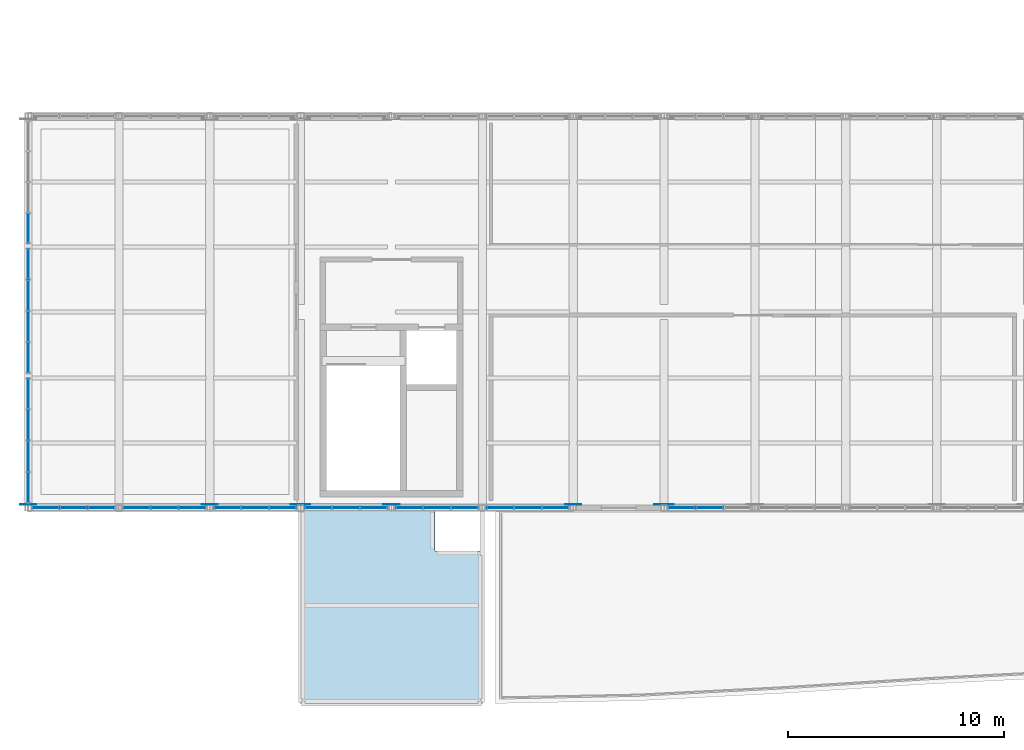
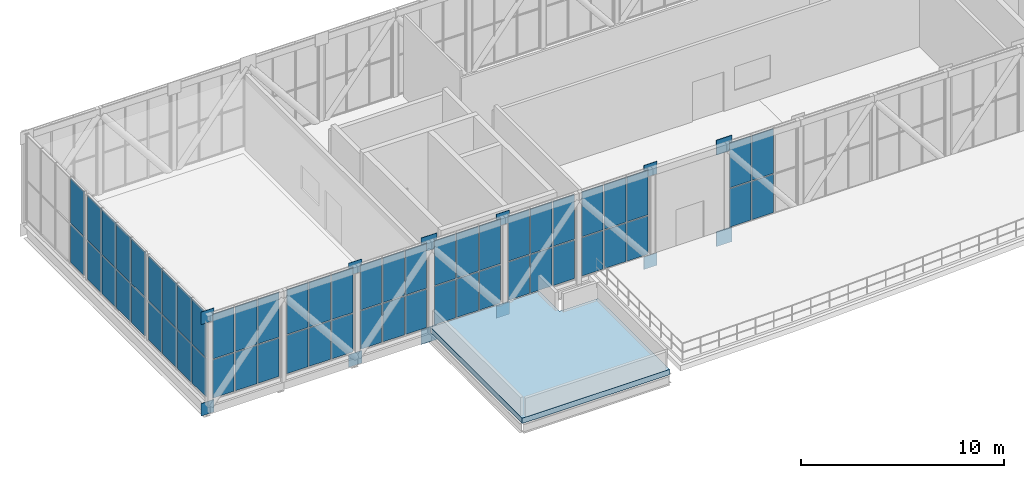
# One storey, part 44 of 58: 70 plates, 1 slab, 10 elements without a shape of their own.
"""IFC4 building model written with IfcOpenShell, lengths in metres."""

from ifc_helpers import new_model, si_unit, direction, frame, origin, origin_2d, place, context, subcontext, project, spatial, polyline, rectangle, outline, extrude, material, layer, layer_set, type_object, element, aggregate, save


model = new_model("IFC4")

# Units and contexts
model_context = context("Model", 3, precision=1e-05, world=origin(), true_north=direction((0.0, 1.0)))
body_context = subcontext(model_context, "Body", "Model", "MODEL_VIEW")
ifc_project = project(units=[si_unit("LENGTHUNIT", "METRE"), si_unit("AREAUNIT", "SQUARE_METRE"), si_unit("VOLUMEUNIT", "CUBIC_METRE"), si_unit("PLANEANGLEUNIT", "RADIAN"), si_unit("MASSUNIT", "GRAM", prefix="KILO")], contexts=[model_context])

# Site, building, storey
site_placement = place(None, origin())
site = spatial("IfcSite", under=ifc_project, at=site_placement, CompositionType="ELEMENT")
building_placement = place(site_placement, origin())
building = spatial("IfcBuilding", under=site, at=building_placement, Name="Khurvash Pelagic Aquarium", CompositionType="ELEMENT")
storey_placement = place(building_placement, frame((0.0, 0.0, 24.60009765625)))
storey = spatial("IfcBuildingStorey", under=building, at=storey_placement, Name="L05", CompositionType="ELEMENT", Elevation=24.60009765625)

# Curtain wall, plates
ifc_material_1 = material(Name="Anodised aluminium and low-E laminated glass", Category="aluminium")
curtain_wall_type_1 = type_object("IfcCurtainWallType", Name="CW-01", PredefinedType="USERDEFINED", material=ifc_material_1)
curtain_wall_1_placement = place(storey_placement, origin())
curtain_wall_1 = element("IfcCurtainWall", 1, at=curtain_wall_1_placement, inside=storey, type_object=curtain_wall_type_1, Name="L05 South Sky-Bar Unitised Curtain Wall CW-01 P01", ObjectType="UNITISED CURTAIN WALL", PredefinedType="USERDEFINED")
ifc_material_2 = material(Name="Low-E laminated double glazing", Category="glass")
ifc_layer_1 = layer(ifc_material_2, 0.035888671875)
ifc_layer_set_1 = layer_set([ifc_layer_1], Name="Low-E laminated double glazing")
plate_type_1 = type_object("IfcPlateType", Name="CG-01", PredefinedType="CURTAIN_PANEL", material=ifc_layer_set_1)
plate_1_placement = place(storey_placement, frame((13.421630859375, 11.64990234375, 0.059814453125), z_axis=(0.0, 0.0, 1.0), x_axis=(1.0, 0.0, 0.0)))
plate_1 = element("IfcPlate", 2, at=plate_1_placement, type_object=plate_type_1, Name="CW-01 panel 1.1", PredefinedType="CURTAIN_PANEL", context=body_context, shape_type="SweptSolid", body=[
    extrude(rectangle(XDim=1.203369140625, YDim=0.035888671875, at=origin_2d()), origin(), (0.0, 0.0, 1.0), 2.31005859375),
])
plate_2_placement = place(storey_placement, frame((13.421630859375, 11.64990234375, 2.429931640625), z_axis=(0.0, 0.0, 1.0), x_axis=(1.0, 0.0, 0.0)))
plate_2 = element("IfcPlate", 3, at=plate_2_placement, type_object=plate_type_1, Name="CW-01 panel 1.2", PredefinedType="CURTAIN_PANEL", context=body_context, shape_type="SweptSolid", body=[
    extrude(rectangle(XDim=1.203369140625, YDim=0.035888671875, at=origin_2d()), origin(), (0.0, 0.0, 1.0), 2.68994140625),
])
plate_3_placement = place(storey_placement, frame((14.699951171875, 11.64990234375, 0.059814453125), z_axis=(0.0, 0.0, 1.0), x_axis=(1.0, 0.0, 0.0)))
plate_3 = element("IfcPlate", 4, at=plate_3_placement, type_object=plate_type_1, Name="CW-01 panel 2.1", PredefinedType="CURTAIN_PANEL", context=body_context, shape_type="SweptSolid", body=[
    extrude(rectangle(XDim=1.2333984375, YDim=0.035888671875, at=origin_2d()), origin(), (0.0, 0.0, 1.0), 2.31005859375),
])
plate_4_placement = place(storey_placement, frame((14.699951171875, 11.64990234375, 2.429931640625), z_axis=(0.0, 0.0, 1.0), x_axis=(1.0, 0.0, 0.0)))
plate_4 = element("IfcPlate", 5, at=plate_4_placement, type_object=plate_type_1, Name="CW-01 panel 2.2", PredefinedType="CURTAIN_PANEL", context=body_context, shape_type="SweptSolid", body=[
    extrude(rectangle(XDim=1.2333984375, YDim=0.035888671875, at=origin_2d()), origin(), (0.0, 0.0, 1.0), 2.68994140625),
])
plate_5_placement = place(storey_placement, frame((15.978271484375, 11.64990234375, 0.059814453125), z_axis=(0.0, 0.0, 1.0), x_axis=(1.0, 0.0, 0.0)))
plate_5 = element("IfcPlate", 6, at=plate_5_placement, type_object=plate_type_1, Name="CW-01 panel 3.1", PredefinedType="CURTAIN_PANEL", context=body_context, shape_type="SweptSolid", body=[
    extrude(rectangle(XDim=1.203369140625, YDim=0.035888671875, at=origin_2d()), origin(), (0.0, 0.0, 1.0), 2.31005859375),
])
plate_6_placement = place(storey_placement, frame((15.978271484375, 11.64990234375, 2.429931640625), z_axis=(0.0, 0.0, 1.0), x_axis=(1.0, 0.0, 0.0)))
plate_6 = element("IfcPlate", 7, at=plate_6_placement, type_object=plate_type_1, Name="CW-01 panel 3.2", PredefinedType="CURTAIN_PANEL", context=body_context, shape_type="SweptSolid", body=[
    extrude(rectangle(XDim=1.203369140625, YDim=0.035888671875, at=origin_2d()), origin(), (0.0, 0.0, 1.0), 2.68994140625),
])
aggregate(curtain_wall_1, [plate_1, plate_2, plate_3, plate_4, plate_5, plate_6])

curtain_wall_2_placement = place(storey_placement, origin())
curtain_wall_2 = element("IfcCurtainWall", 8, at=curtain_wall_2_placement, inside=storey, type_object=curtain_wall_type_1, Name="L05 South Sky-Bar Unitised Curtain Wall CW-01 P02", ObjectType="UNITISED CURTAIN WALL", PredefinedType="USERDEFINED")
plate_7_placement = place(storey_placement, frame((17.62158203125, 11.64990234375, 0.059814453125), z_axis=(0.0, 0.0, 1.0), x_axis=(1.0, 0.0, 0.0)))
plate_7 = element("IfcPlate", 9, at=plate_7_placement, type_object=plate_type_1, Name="CW-01 panel 1.1", PredefinedType="CURTAIN_PANEL", context=body_context, shape_type="SweptSolid", body=[
    extrude(rectangle(XDim=1.203369140625, YDim=0.035888671875, at=origin_2d()), origin(), (0.0, 0.0, 1.0), 2.31005859375),
])
plate_8_placement = place(storey_placement, frame((17.62158203125, 11.64990234375, 2.429931640625), z_axis=(0.0, 0.0, 1.0), x_axis=(1.0, 0.0, 0.0)))
plate_8 = element("IfcPlate", 10, at=plate_8_placement, type_object=plate_type_1, Name="CW-01 panel 1.2", PredefinedType="CURTAIN_PANEL", context=body_context, shape_type="SweptSolid", body=[
    extrude(rectangle(XDim=1.203369140625, YDim=0.035888671875, at=origin_2d()), origin(), (0.0, 0.0, 1.0), 2.68994140625),
])
plate_9_placement = place(storey_placement, frame((18.89990234375, 11.64990234375, 0.059814453125), z_axis=(0.0, 0.0, 1.0), x_axis=(1.0, 0.0, 0.0)))
plate_9 = element("IfcPlate", 11, at=plate_9_placement, type_object=plate_type_1, Name="CW-01 panel 2.1", PredefinedType="CURTAIN_PANEL", context=body_context, shape_type="SweptSolid", body=[
    extrude(rectangle(XDim=1.2333984375, YDim=0.035888671875, at=origin_2d()), origin(), (0.0, 0.0, 1.0), 2.31005859375),
])
plate_10_placement = place(storey_placement, frame((18.89990234375, 11.64990234375, 2.429931640625), z_axis=(0.0, 0.0, 1.0), x_axis=(1.0, 0.0, 0.0)))
plate_10 = element("IfcPlate", 12, at=plate_10_placement, type_object=plate_type_1, Name="CW-01 panel 2.2", PredefinedType="CURTAIN_PANEL", context=body_context, shape_type="SweptSolid", body=[
    extrude(rectangle(XDim=1.2333984375, YDim=0.035888671875, at=origin_2d()), origin(), (0.0, 0.0, 1.0), 2.68994140625),
])
plate_11_placement = place(storey_placement, frame((20.17822265625, 11.64990234375, 0.059814453125), z_axis=(0.0, 0.0, 1.0), x_axis=(1.0, 0.0, 0.0)))
plate_11 = element("IfcPlate", 13, at=plate_11_placement, type_object=plate_type_1, Name="CW-01 panel 3.1", PredefinedType="CURTAIN_PANEL", context=body_context, shape_type="SweptSolid", body=[
    extrude(rectangle(XDim=1.203369140625, YDim=0.035888671875, at=origin_2d()), origin(), (0.0, 0.0, 1.0), 2.31005859375),
])
plate_12_placement = place(storey_placement, frame((20.17822265625, 11.64990234375, 2.429931640625), z_axis=(0.0, 0.0, 1.0), x_axis=(1.0, 0.0, 0.0)))
plate_12 = element("IfcPlate", 14, at=plate_12_placement, type_object=plate_type_1, Name="CW-01 panel 3.2", PredefinedType="CURTAIN_PANEL", context=body_context, shape_type="SweptSolid", body=[
    extrude(rectangle(XDim=1.203369140625, YDim=0.035888671875, at=origin_2d()), origin(), (0.0, 0.0, 1.0), 2.68994140625),
])
aggregate(curtain_wall_2, [plate_7, plate_8, plate_9, plate_10, plate_11, plate_12])

curtain_wall_3_placement = place(storey_placement, origin())
curtain_wall_3 = element("IfcCurtainWall", 15, at=curtain_wall_3_placement, inside=storey, type_object=curtain_wall_type_1, Name="L05 South Sky-Bar Unitised Curtain Wall CW-01 P03", ObjectType="UNITISED CURTAIN WALL", PredefinedType="USERDEFINED")
plate_13_placement = place(storey_placement, frame((21.82177734375, 11.64990234375, 0.059814453125), z_axis=(0.0, 0.0, 1.0), x_axis=(1.0, 0.0, 0.0)))
plate_13 = element("IfcPlate", 16, at=plate_13_placement, type_object=plate_type_1, Name="CW-01 panel 1.1", PredefinedType="CURTAIN_PANEL", context=body_context, shape_type="SweptSolid", body=[
    extrude(rectangle(XDim=1.203369140625, YDim=0.035888671875, at=origin_2d()), origin(), (0.0, 0.0, 1.0), 2.31005859375),
])
plate_14_placement = place(storey_placement, frame((21.82177734375, 11.64990234375, 2.429931640625), z_axis=(0.0, 0.0, 1.0), x_axis=(1.0, 0.0, 0.0)))
plate_14 = element("IfcPlate", 17, at=plate_14_placement, type_object=plate_type_1, Name="CW-01 panel 1.2", PredefinedType="CURTAIN_PANEL", context=body_context, shape_type="SweptSolid", body=[
    extrude(rectangle(XDim=1.203369140625, YDim=0.035888671875, at=origin_2d()), origin(), (0.0, 0.0, 1.0), 2.68994140625),
])
plate_15_placement = place(storey_placement, frame((23.10009765625, 11.64990234375, 0.059814453125), z_axis=(0.0, 0.0, 1.0), x_axis=(1.0, 0.0, 0.0)))
plate_15 = element("IfcPlate", 18, at=plate_15_placement, type_object=plate_type_1, Name="CW-01 panel 2.1", PredefinedType="CURTAIN_PANEL", context=body_context, shape_type="SweptSolid", body=[
    extrude(rectangle(XDim=1.2333984375, YDim=0.035888671875, at=origin_2d()), origin(), (0.0, 0.0, 1.0), 2.31005859375),
])
plate_16_placement = place(storey_placement, frame((23.10009765625, 11.64990234375, 2.429931640625), z_axis=(0.0, 0.0, 1.0), x_axis=(1.0, 0.0, 0.0)))
plate_16 = element("IfcPlate", 19, at=plate_16_placement, type_object=plate_type_1, Name="CW-01 panel 2.2", PredefinedType="CURTAIN_PANEL", context=body_context, shape_type="SweptSolid", body=[
    extrude(rectangle(XDim=1.2333984375, YDim=0.035888671875, at=origin_2d()), origin(), (0.0, 0.0, 1.0), 2.68994140625),
])
plate_17_placement = place(storey_placement, frame((24.37841796875, 11.64990234375, 0.059814453125), z_axis=(0.0, 0.0, 1.0), x_axis=(1.0, 0.0, 0.0)))
plate_17 = element("IfcPlate", 20, at=plate_17_placement, type_object=plate_type_1, Name="CW-01 panel 3.1", PredefinedType="CURTAIN_PANEL", context=body_context, shape_type="SweptSolid", body=[
    extrude(rectangle(XDim=1.203369140625, YDim=0.035888671875, at=origin_2d()), origin(), (0.0, 0.0, 1.0), 2.31005859375),
])
plate_18_placement = place(storey_placement, frame((24.37841796875, 11.64990234375, 2.429931640625), z_axis=(0.0, 0.0, 1.0), x_axis=(1.0, 0.0, 0.0)))
plate_18 = element("IfcPlate", 21, at=plate_18_placement, type_object=plate_type_1, Name="CW-01 panel 3.2", PredefinedType="CURTAIN_PANEL", context=body_context, shape_type="SweptSolid", body=[
    extrude(rectangle(XDim=1.203369140625, YDim=0.035888671875, at=origin_2d()), origin(), (0.0, 0.0, 1.0), 2.68994140625),
])
aggregate(curtain_wall_3, [plate_13, plate_14, plate_15, plate_16, plate_17, plate_18])

curtain_wall_4_placement = place(storey_placement, origin())
curtain_wall_4 = element("IfcCurtainWall", 22, at=curtain_wall_4_placement, inside=storey, type_object=curtain_wall_type_1, Name="L05 South Sky-Bar Unitised Curtain Wall CW-01 P04", ObjectType="UNITISED CURTAIN WALL", PredefinedType="USERDEFINED")
plate_19_placement = place(storey_placement, frame((26.021728515625, 11.64990234375, 0.059814453125), z_axis=(0.0, 0.0, 1.0), x_axis=(1.0, 0.0, 0.0)))
plate_19 = element("IfcPlate", 23, at=plate_19_placement, type_object=plate_type_1, Name="CW-01 panel 1.1", PredefinedType="CURTAIN_PANEL", context=body_context, shape_type="SweptSolid", body=[
    extrude(rectangle(XDim=1.203369140625, YDim=0.035888671875, at=origin_2d()), origin(), (0.0, 0.0, 1.0), 2.31005859375),
])
plate_20_placement = place(storey_placement, frame((26.021728515625, 11.64990234375, 2.429931640625), z_axis=(0.0, 0.0, 1.0), x_axis=(1.0, 0.0, 0.0)))
plate_20 = element("IfcPlate", 24, at=plate_20_placement, type_object=plate_type_1, Name="CW-01 panel 1.2", PredefinedType="CURTAIN_PANEL", context=body_context, shape_type="SweptSolid", body=[
    extrude(rectangle(XDim=1.203369140625, YDim=0.035888671875, at=origin_2d()), origin(), (0.0, 0.0, 1.0), 2.68994140625),
])
plate_21_placement = place(storey_placement, frame((27.300048828125, 11.64990234375, 0.059814453125), z_axis=(0.0, 0.0, 1.0), x_axis=(1.0, 0.0, 0.0)))
plate_21 = element("IfcPlate", 25, at=plate_21_placement, type_object=plate_type_1, Name="CW-01 panel 2.1", PredefinedType="CURTAIN_PANEL", context=body_context, shape_type="SweptSolid", body=[
    extrude(rectangle(XDim=1.2333984375, YDim=0.035888671875, at=origin_2d()), origin(), (0.0, 0.0, 1.0), 2.31005859375),
])
plate_22_placement = place(storey_placement, frame((27.300048828125, 11.64990234375, 2.429931640625), z_axis=(0.0, 0.0, 1.0), x_axis=(1.0, 0.0, 0.0)))
plate_22 = element("IfcPlate", 26, at=plate_22_placement, type_object=plate_type_1, Name="CW-01 panel 2.2", PredefinedType="CURTAIN_PANEL", context=body_context, shape_type="SweptSolid", body=[
    extrude(rectangle(XDim=1.2333984375, YDim=0.035888671875, at=origin_2d()), origin(), (0.0, 0.0, 1.0), 2.68994140625),
])
plate_23_placement = place(storey_placement, frame((28.578369140625, 11.64990234375, 0.059814453125), z_axis=(0.0, 0.0, 1.0), x_axis=(1.0, 0.0, 0.0)))
plate_23 = element("IfcPlate", 27, at=plate_23_placement, type_object=plate_type_1, Name="CW-01 panel 3.1", PredefinedType="CURTAIN_PANEL", context=body_context, shape_type="SweptSolid", body=[
    extrude(rectangle(XDim=1.203369140625, YDim=0.035888671875, at=origin_2d()), origin(), (0.0, 0.0, 1.0), 2.31005859375),
])
plate_24_placement = place(storey_placement, frame((28.578369140625, 11.64990234375, 2.429931640625), z_axis=(0.0, 0.0, 1.0), x_axis=(1.0, 0.0, 0.0)))
plate_24 = element("IfcPlate", 28, at=plate_24_placement, type_object=plate_type_1, Name="CW-01 panel 3.2", PredefinedType="CURTAIN_PANEL", context=body_context, shape_type="SweptSolid", body=[
    extrude(rectangle(XDim=1.203369140625, YDim=0.035888671875, at=origin_2d()), origin(), (0.0, 0.0, 1.0), 2.68994140625),
])
aggregate(curtain_wall_4, [plate_19, plate_20, plate_21, plate_22, plate_23, plate_24])

curtain_wall_5_placement = place(storey_placement, origin())
curtain_wall_5 = element("IfcCurtainWall", 29, at=curtain_wall_5_placement, inside=storey, type_object=curtain_wall_type_1, Name="L05 South Sky-Bar Unitised Curtain Wall CW-01 P05", ObjectType="UNITISED CURTAIN WALL", PredefinedType="USERDEFINED")
plate_25_placement = place(storey_placement, frame((30.2216796875, 11.64990234375, 0.059814453125), z_axis=(0.0, 0.0, 1.0), x_axis=(1.0, 0.0, 0.0)))
plate_25 = element("IfcPlate", 30, at=plate_25_placement, type_object=plate_type_1, Name="CW-01 panel 1.1", PredefinedType="CURTAIN_PANEL", context=body_context, shape_type="SweptSolid", body=[
    extrude(rectangle(XDim=1.203369140625, YDim=0.035888671875, at=origin_2d()), origin(), (0.0, 0.0, 1.0), 2.31005859375),
])
plate_26_placement = place(storey_placement, frame((30.2216796875, 11.64990234375, 2.429931640625), z_axis=(0.0, 0.0, 1.0), x_axis=(1.0, 0.0, 0.0)))
plate_26 = element("IfcPlate", 31, at=plate_26_placement, type_object=plate_type_1, Name="CW-01 panel 1.2", PredefinedType="CURTAIN_PANEL", context=body_context, shape_type="SweptSolid", body=[
    extrude(rectangle(XDim=1.203369140625, YDim=0.035888671875, at=origin_2d()), origin(), (0.0, 0.0, 1.0), 2.68994140625),
])
plate_27_placement = place(storey_placement, frame((31.5, 11.64990234375, 0.059814453125), z_axis=(0.0, 0.0, 1.0), x_axis=(1.0, 0.0, 0.0)))
plate_27 = element("IfcPlate", 32, at=plate_27_placement, type_object=plate_type_1, Name="CW-01 panel 2.1", PredefinedType="CURTAIN_PANEL", context=body_context, shape_type="SweptSolid", body=[
    extrude(rectangle(XDim=1.2333984375, YDim=0.035888671875, at=origin_2d()), origin(), (0.0, 0.0, 1.0), 2.31005859375),
])
plate_28_placement = place(storey_placement, frame((31.5, 11.64990234375, 2.429931640625), z_axis=(0.0, 0.0, 1.0), x_axis=(1.0, 0.0, 0.0)))
plate_28 = element("IfcPlate", 33, at=plate_28_placement, type_object=plate_type_1, Name="CW-01 panel 2.2", PredefinedType="CURTAIN_PANEL", context=body_context, shape_type="SweptSolid", body=[
    extrude(rectangle(XDim=1.2333984375, YDim=0.035888671875, at=origin_2d()), origin(), (0.0, 0.0, 1.0), 2.68994140625),
])
plate_29_placement = place(storey_placement, frame((32.7783203125, 11.64990234375, 0.059814453125), z_axis=(0.0, 0.0, 1.0), x_axis=(1.0, 0.0, 0.0)))
plate_29 = element("IfcPlate", 34, at=plate_29_placement, type_object=plate_type_1, Name="CW-01 panel 3.1", PredefinedType="CURTAIN_PANEL", context=body_context, shape_type="SweptSolid", body=[
    extrude(rectangle(XDim=1.203369140625, YDim=0.035888671875, at=origin_2d()), origin(), (0.0, 0.0, 1.0), 2.31005859375),
])
plate_30_placement = place(storey_placement, frame((32.7783203125, 11.64990234375, 2.429931640625), z_axis=(0.0, 0.0, 1.0), x_axis=(1.0, 0.0, 0.0)))
plate_30 = element("IfcPlate", 35, at=plate_30_placement, type_object=plate_type_1, Name="CW-01 panel 3.2", PredefinedType="CURTAIN_PANEL", context=body_context, shape_type="SweptSolid", body=[
    extrude(rectangle(XDim=1.203369140625, YDim=0.035888671875, at=origin_2d()), origin(), (0.0, 0.0, 1.0), 2.68994140625),
])
aggregate(curtain_wall_5, [plate_25, plate_26, plate_27, plate_28, plate_29, plate_30])

curtain_wall_6_placement = place(storey_placement, origin())
curtain_wall_6 = element("IfcCurtainWall", 36, at=curtain_wall_6_placement, inside=storey, type_object=curtain_wall_type_1, Name="L05 South Sky-Bar Unitised Curtain Wall CW-01 P06", ObjectType="UNITISED CURTAIN WALL", PredefinedType="USERDEFINED")
plate_31_placement = place(storey_placement, frame((34.421630859375, 11.64990234375, 0.059814453125), z_axis=(0.0, 0.0, 1.0), x_axis=(1.0, 0.0, 0.0)))
plate_31 = element("IfcPlate", 37, at=plate_31_placement, type_object=plate_type_1, Name="CW-01 panel 1.1", PredefinedType="CURTAIN_PANEL", context=body_context, shape_type="SweptSolid", body=[
    extrude(rectangle(XDim=1.203369140625, YDim=0.035888671875, at=origin_2d()), origin(), (0.0, 0.0, 1.0), 2.31005859375),
])
plate_32_placement = place(storey_placement, frame((34.421630859375, 11.64990234375, 2.429931640625), z_axis=(0.0, 0.0, 1.0), x_axis=(1.0, 0.0, 0.0)))
plate_32 = element("IfcPlate", 38, at=plate_32_placement, type_object=plate_type_1, Name="CW-01 panel 1.2", PredefinedType="CURTAIN_PANEL", context=body_context, shape_type="SweptSolid", body=[
    extrude(rectangle(XDim=1.203369140625, YDim=0.035888671875, at=origin_2d()), origin(), (0.0, 0.0, 1.0), 2.68994140625),
])
plate_33_placement = place(storey_placement, frame((35.699951171875, 11.64990234375, 0.059814453125), z_axis=(0.0, 0.0, 1.0), x_axis=(1.0, 0.0, 0.0)))
plate_33 = element("IfcPlate", 39, at=plate_33_placement, type_object=plate_type_1, Name="CW-01 panel 2.1", PredefinedType="CURTAIN_PANEL", context=body_context, shape_type="SweptSolid", body=[
    extrude(rectangle(XDim=1.2333984375, YDim=0.035888671875, at=origin_2d()), origin(), (0.0, 0.0, 1.0), 2.31005859375),
])
plate_34_placement = place(storey_placement, frame((35.699951171875, 11.64990234375, 2.429931640625), z_axis=(0.0, 0.0, 1.0), x_axis=(1.0, 0.0, 0.0)))
plate_34 = element("IfcPlate", 40, at=plate_34_placement, type_object=plate_type_1, Name="CW-01 panel 2.2", PredefinedType="CURTAIN_PANEL", context=body_context, shape_type="SweptSolid", body=[
    extrude(rectangle(XDim=1.2333984375, YDim=0.035888671875, at=origin_2d()), origin(), (0.0, 0.0, 1.0), 2.68994140625),
])
plate_35_placement = place(storey_placement, frame((36.978271484375, 11.64990234375, 0.059814453125), z_axis=(0.0, 0.0, 1.0), x_axis=(1.0, 0.0, 0.0)))
plate_35 = element("IfcPlate", 41, at=plate_35_placement, type_object=plate_type_1, Name="CW-01 panel 3.1", PredefinedType="CURTAIN_PANEL", context=body_context, shape_type="SweptSolid", body=[
    extrude(rectangle(XDim=1.203369140625, YDim=0.035888671875, at=origin_2d()), origin(), (0.0, 0.0, 1.0), 2.31005859375),
])
plate_36_placement = place(storey_placement, frame((36.978271484375, 11.64990234375, 2.429931640625), z_axis=(0.0, 0.0, 1.0), x_axis=(1.0, 0.0, 0.0)))
plate_36 = element("IfcPlate", 42, at=plate_36_placement, type_object=plate_type_1, Name="CW-01 panel 3.2", PredefinedType="CURTAIN_PANEL", context=body_context, shape_type="SweptSolid", body=[
    extrude(rectangle(XDim=1.203369140625, YDim=0.035888671875, at=origin_2d()), origin(), (0.0, 0.0, 1.0), 2.68994140625),
])
aggregate(curtain_wall_6, [plate_31, plate_32, plate_33, plate_34, plate_35, plate_36])

curtain_wall_7_placement = place(storey_placement, origin())
curtain_wall_7 = element("IfcCurtainWall", 43, at=curtain_wall_7_placement, inside=storey, type_object=curtain_wall_type_1, Name="L05 South Sky-Bar Unitised Curtain Wall CW-01 P08", ObjectType="UNITISED CURTAIN WALL", PredefinedType="USERDEFINED")
plate_37_placement = place(storey_placement, frame((42.82177734375, 11.64990234375, 0.059814453125), z_axis=(0.0, 0.0, 1.0), x_axis=(1.0, 0.0, 0.0)))
plate_37 = element("IfcPlate", 44, at=plate_37_placement, type_object=plate_type_1, Name="CW-01 panel 1.1", PredefinedType="CURTAIN_PANEL", context=body_context, shape_type="SweptSolid", body=[
    extrude(rectangle(XDim=1.203369140625, YDim=0.035888671875, at=origin_2d()), origin(), (0.0, 0.0, 1.0), 2.31005859375),
])
plate_38_placement = place(storey_placement, frame((42.82177734375, 11.64990234375, 2.429931640625), z_axis=(0.0, 0.0, 1.0), x_axis=(1.0, 0.0, 0.0)))
plate_38 = element("IfcPlate", 45, at=plate_38_placement, type_object=plate_type_1, Name="CW-01 panel 1.2", PredefinedType="CURTAIN_PANEL", context=body_context, shape_type="SweptSolid", body=[
    extrude(rectangle(XDim=1.203369140625, YDim=0.035888671875, at=origin_2d()), origin(), (0.0, 0.0, 1.0), 2.68994140625),
])
plate_39_placement = place(storey_placement, frame((44.10009765625, 11.64990234375, 0.059814453125), z_axis=(0.0, 0.0, 1.0), x_axis=(1.0, 0.0, 0.0)))
plate_39 = element("IfcPlate", 46, at=plate_39_placement, type_object=plate_type_1, Name="CW-01 panel 2.1", PredefinedType="CURTAIN_PANEL", context=body_context, shape_type="SweptSolid", body=[
    extrude(rectangle(XDim=1.2333984375, YDim=0.035888671875, at=origin_2d()), origin(), (0.0, 0.0, 1.0), 2.31005859375),
])
plate_40_placement = place(storey_placement, frame((44.10009765625, 11.64990234375, 2.429931640625), z_axis=(0.0, 0.0, 1.0), x_axis=(1.0, 0.0, 0.0)))
plate_40 = element("IfcPlate", 47, at=plate_40_placement, type_object=plate_type_1, Name="CW-01 panel 2.2", PredefinedType="CURTAIN_PANEL", context=body_context, shape_type="SweptSolid", body=[
    extrude(rectangle(XDim=1.2333984375, YDim=0.035888671875, at=origin_2d()), origin(), (0.0, 0.0, 1.0), 2.68994140625),
])
aggregate(curtain_wall_7, [plate_37, plate_38, plate_39, plate_40])

curtain_wall_type_2 = type_object("IfcCurtainWallType", Name="CW-04", PredefinedType="USERDEFINED", material=ifc_material_1)
curtain_wall_8_placement = place(storey_placement, origin())
curtain_wall_8 = element("IfcCurtainWall", 48, at=curtain_wall_8_placement, inside=storey, type_object=curtain_wall_type_2, Name="L05 West Cantilever Overlook Curtain Wall CW-04", ObjectType="UNITISED CURTAIN WALL", PredefinedType="USERDEFINED")
ifc_layer_2 = layer(ifc_material_2, 0.0400390625)
ifc_layer_set_2 = layer_set([ifc_layer_2], Name="Low-E laminated double glazing")
plate_type_2 = type_object("IfcPlateType", Name="CG-04", PredefinedType="CURTAIN_PANEL", material=ifc_layer_set_2)
plate_41_placement = place(storey_placement, frame((12.60009765625, 12.590087890625, 0.059814453125), z_axis=(0.0, 0.0, 1.0), x_axis=(0.0, 1.0, 0.0)))
plate_41 = element("IfcPlate", 49, at=plate_41_placement, type_object=plate_type_2, Name="CW-04 panel 1.1", PredefinedType="CURTAIN_PANEL", context=body_context, shape_type="SweptSolid", body=[
    extrude(rectangle(XDim=1.360107421875, YDim=0.0400390625, at=origin_2d()), origin(), (0.0, 0.0, 1.0), 2.31005859375),
])
plate_42_placement = place(storey_placement, frame((12.60009765625, 12.590087890625, 2.429931640625), z_axis=(0.0, 0.0, 1.0), x_axis=(0.0, 1.0, 0.0)))
plate_42 = element("IfcPlate", 50, at=plate_42_placement, type_object=plate_type_2, Name="CW-04 panel 1.2", PredefinedType="CURTAIN_PANEL", context=body_context, shape_type="SweptSolid", body=[
    extrude(rectangle(XDim=1.360107421875, YDim=0.0400390625, at=origin_2d()), origin(), (0.0, 0.0, 1.0), 2.68994140625),
])
plate_43_placement = place(storey_placement, frame((12.60009765625, 14.02490234375, 0.059814453125), z_axis=(0.0, 0.0, 1.0), x_axis=(0.0, 1.0, 0.0)))
plate_43 = element("IfcPlate", 51, at=plate_43_placement, type_object=plate_type_2, Name="CW-04 panel 2.1", PredefinedType="CURTAIN_PANEL", context=body_context, shape_type="SweptSolid", body=[
    extrude(rectangle(XDim=1.389892578125, YDim=0.0400390625, at=origin_2d()), origin(), (0.0, 0.0, 1.0), 2.31005859375),
])
plate_44_placement = place(storey_placement, frame((12.60009765625, 14.02490234375, 2.429931640625), z_axis=(0.0, 0.0, 1.0), x_axis=(0.0, 1.0, 0.0)))
plate_44 = element("IfcPlate", 52, at=plate_44_placement, type_object=plate_type_2, Name="CW-04 panel 2.2", PredefinedType="CURTAIN_PANEL", context=body_context, shape_type="SweptSolid", body=[
    extrude(rectangle(XDim=1.389892578125, YDim=0.0400390625, at=origin_2d()), origin(), (0.0, 0.0, 1.0), 2.68994140625),
])
plate_45_placement = place(storey_placement, frame((12.60009765625, 15.47509765625, 0.059814453125), z_axis=(0.0, 0.0, 1.0), x_axis=(0.0, 1.0, 0.0)))
plate_45 = element("IfcPlate", 53, at=plate_45_placement, type_object=plate_type_2, Name="CW-04 panel 3.1", PredefinedType="CURTAIN_PANEL", context=body_context, shape_type="SweptSolid", body=[
    extrude(rectangle(XDim=1.389892578125, YDim=0.0400390625, at=origin_2d()), origin(), (0.0, 0.0, 1.0), 2.31005859375),
])
plate_46_placement = place(storey_placement, frame((12.60009765625, 15.47509765625, 2.429931640625), z_axis=(0.0, 0.0, 1.0), x_axis=(0.0, 1.0, 0.0)))
plate_46 = element("IfcPlate", 54, at=plate_46_placement, type_object=plate_type_2, Name="CW-04 panel 3.2", PredefinedType="CURTAIN_PANEL", context=body_context, shape_type="SweptSolid", body=[
    extrude(rectangle(XDim=1.389892578125, YDim=0.0400390625, at=origin_2d()), origin(), (0.0, 0.0, 1.0), 2.68994140625),
])
plate_47_placement = place(storey_placement, frame((12.60009765625, 16.909912109375, 0.059814453125), z_axis=(0.0, 0.0, 1.0), x_axis=(0.0, 1.0, 0.0)))
plate_47 = element("IfcPlate", 55, at=plate_47_placement, type_object=plate_type_2, Name="CW-04 panel 4.1", PredefinedType="CURTAIN_PANEL", context=body_context, shape_type="SweptSolid", body=[
    extrude(rectangle(XDim=1.360107421875, YDim=0.0400390625, at=origin_2d()), origin(), (0.0, 0.0, 1.0), 2.31005859375),
])
plate_48_placement = place(storey_placement, frame((12.60009765625, 16.909912109375, 2.429931640625), z_axis=(0.0, 0.0, 1.0), x_axis=(0.0, 1.0, 0.0)))
plate_48 = element("IfcPlate", 56, at=plate_48_placement, type_object=plate_type_2, Name="CW-04 panel 4.2", PredefinedType="CURTAIN_PANEL", context=body_context, shape_type="SweptSolid", body=[
    extrude(rectangle(XDim=1.360107421875, YDim=0.0400390625, at=origin_2d()), origin(), (0.0, 0.0, 1.0), 2.68994140625),
])
aggregate(curtain_wall_8, [plate_41, plate_42, plate_43, plate_44, plate_45, plate_46, plate_47, plate_48])

curtain_wall_9_placement = place(storey_placement, origin())
curtain_wall_9 = element("IfcCurtainWall", 57, at=curtain_wall_9_placement, inside=storey, type_object=curtain_wall_type_2, Name="L05 West Cantilever Overlook Curtain Wall CW-04", ObjectType="UNITISED CURTAIN WALL", PredefinedType="USERDEFINED")
plate_49_placement = place(storey_placement, frame((12.60009765625, 18.590087890625, 0.059814453125), z_axis=(0.0, 0.0, 1.0), x_axis=(0.0, 1.0, 0.0)))
plate_49 = element("IfcPlate", 58, at=plate_49_placement, type_object=plate_type_2, Name="CW-04 panel 1.1", PredefinedType="CURTAIN_PANEL", context=body_context, shape_type="SweptSolid", body=[
    extrude(rectangle(XDim=1.360107421875, YDim=0.0400390625, at=origin_2d()), origin(), (0.0, 0.0, 1.0), 2.31005859375),
])
plate_50_placement = place(storey_placement, frame((12.60009765625, 18.590087890625, 2.429931640625), z_axis=(0.0, 0.0, 1.0), x_axis=(0.0, 1.0, 0.0)))
plate_50 = element("IfcPlate", 59, at=plate_50_placement, type_object=plate_type_2, Name="CW-04 panel 1.2", PredefinedType="CURTAIN_PANEL", context=body_context, shape_type="SweptSolid", body=[
    extrude(rectangle(XDim=1.360107421875, YDim=0.0400390625, at=origin_2d()), origin(), (0.0, 0.0, 1.0), 2.68994140625),
])
plate_51_placement = place(storey_placement, frame((12.60009765625, 20.02490234375, 0.059814453125), z_axis=(0.0, 0.0, 1.0), x_axis=(0.0, 1.0, 0.0)))
plate_51 = element("IfcPlate", 60, at=plate_51_placement, type_object=plate_type_2, Name="CW-04 panel 2.1", PredefinedType="CURTAIN_PANEL", context=body_context, shape_type="SweptSolid", body=[
    extrude(rectangle(XDim=1.389892578125, YDim=0.0400390625, at=origin_2d()), origin(), (0.0, 0.0, 1.0), 2.31005859375),
])
plate_52_placement = place(storey_placement, frame((12.60009765625, 20.02490234375, 2.429931640625), z_axis=(0.0, 0.0, 1.0), x_axis=(0.0, 1.0, 0.0)))
plate_52 = element("IfcPlate", 61, at=plate_52_placement, type_object=plate_type_2, Name="CW-04 panel 2.2", PredefinedType="CURTAIN_PANEL", context=body_context, shape_type="SweptSolid", body=[
    extrude(rectangle(XDim=1.389892578125, YDim=0.0400390625, at=origin_2d()), origin(), (0.0, 0.0, 1.0), 2.68994140625),
])
plate_53_placement = place(storey_placement, frame((12.60009765625, 21.47509765625, 0.059814453125), z_axis=(0.0, 0.0, 1.0), x_axis=(0.0, 1.0, 0.0)))
plate_53 = element("IfcPlate", 62, at=plate_53_placement, type_object=plate_type_2, Name="CW-04 panel 3.1", PredefinedType="CURTAIN_PANEL", context=body_context, shape_type="SweptSolid", body=[
    extrude(rectangle(XDim=1.389892578125, YDim=0.0400390625, at=origin_2d()), origin(), (0.0, 0.0, 1.0), 2.31005859375),
])
plate_54_placement = place(storey_placement, frame((12.60009765625, 21.47509765625, 2.429931640625), z_axis=(0.0, 0.0, 1.0), x_axis=(0.0, 1.0, 0.0)))
plate_54 = element("IfcPlate", 63, at=plate_54_placement, type_object=plate_type_2, Name="CW-04 panel 3.2", PredefinedType="CURTAIN_PANEL", context=body_context, shape_type="SweptSolid", body=[
    extrude(rectangle(XDim=1.389892578125, YDim=0.0400390625, at=origin_2d()), origin(), (0.0, 0.0, 1.0), 2.68994140625),
])
plate_55_placement = place(storey_placement, frame((12.60009765625, 22.909912109375, 0.059814453125), z_axis=(0.0, 0.0, 1.0), x_axis=(0.0, 1.0, 0.0)))
plate_55 = element("IfcPlate", 64, at=plate_55_placement, type_object=plate_type_2, Name="CW-04 panel 4.1", PredefinedType="CURTAIN_PANEL", context=body_context, shape_type="SweptSolid", body=[
    extrude(rectangle(XDim=1.360107421875, YDim=0.0400390625, at=origin_2d()), origin(), (0.0, 0.0, 1.0), 2.31005859375),
])
plate_56_placement = place(storey_placement, frame((12.60009765625, 22.909912109375, 2.429931640625), z_axis=(0.0, 0.0, 1.0), x_axis=(0.0, 1.0, 0.0)))
plate_56 = element("IfcPlate", 65, at=plate_56_placement, type_object=plate_type_2, Name="CW-04 panel 4.2", PredefinedType="CURTAIN_PANEL", context=body_context, shape_type="SweptSolid", body=[
    extrude(rectangle(XDim=1.360107421875, YDim=0.0400390625, at=origin_2d()), origin(), (0.0, 0.0, 1.0), 2.68994140625),
])
aggregate(curtain_wall_9, [plate_49, plate_50, plate_51, plate_52, plate_53, plate_54, plate_55, plate_56])

curtain_wall_10_placement = place(storey_placement, origin())
curtain_wall_10 = element("IfcCurtainWall", 66, at=curtain_wall_10_placement, inside=storey, type_object=curtain_wall_type_2, Name="L05 West Cantilever Overlook Curtain Wall CW-04", ObjectType="UNITISED CURTAIN WALL", PredefinedType="USERDEFINED")
plate_57_placement = place(storey_placement, frame((12.60009765625, 24.577392578125, 0.059814453125), z_axis=(0.0, 0.0, 1.0), x_axis=(0.0, 1.0, 0.0)))
plate_57 = element("IfcPlate", 67, at=plate_57_placement, type_object=plate_type_2, Name="CW-04 panel 1.1", PredefinedType="CURTAIN_PANEL", context=body_context, shape_type="SweptSolid", body=[
    extrude(rectangle(XDim=1.3349609375, YDim=0.0400390625, at=origin_2d()), origin(), (0.0, 0.0, 1.0), 2.31005859375),
])
plate_58_placement = place(storey_placement, frame((12.60009765625, 24.577392578125, 2.429931640625), z_axis=(0.0, 0.0, 1.0), x_axis=(0.0, 1.0, 0.0)))
plate_58 = element("IfcPlate", 68, at=plate_58_placement, type_object=plate_type_2, Name="CW-04 panel 1.2", PredefinedType="CURTAIN_PANEL", context=body_context, shape_type="SweptSolid", body=[
    extrude(rectangle(XDim=1.3349609375, YDim=0.0400390625, at=origin_2d()), origin(), (0.0, 0.0, 1.0), 2.68994140625),
])
aggregate(curtain_wall_10, [plate_57, plate_58])

# Plates
ifc_material_3 = material(Name="Steel S355J2", Category="steel")
ifc_layer_3 = layer(ifc_material_3, 0.028076171875)
ifc_layer_set_3 = layer_set([ifc_layer_3], Name="Steel S355J2")
plate_type_3 = type_object("IfcPlateType", Name="ND-01", PredefinedType="USERDEFINED", material=ifc_layer_set_3)
for number, where, z_axis, x_axis, name in (
    (69, (25.199951171875, 11.7900390625, -0.97509765625), (0.0, 0.0, 1.0), (1.0, 0.0, 0.0), "L05 South Truss Bot Gusset Plate ND-01 N04"),
    (70, (25.199951171875, 11.7900390625, 4.530029296875), (0.0, 0.0, 1.0), (1.0, 0.0, 0.0), "L05 South Truss Top Gusset Plate ND-01 N04"),
    (71, (42.0, 11.7900390625, -0.97509765625), (0.0, 0.0, 1.0), (1.0, 0.0, 0.0), "L05 South Truss Bot Gusset Plate ND-01 N08"),
    (72, (42.0, 11.7900390625, 4.530029296875), (0.0, 0.0, 1.0), (1.0, 0.0, 0.0), "L05 South Truss Top Gusset Plate ND-01 N08"),
):
    element("IfcPlate", number, at=place(storey_placement, frame(where, z_axis=z_axis, x_axis=x_axis)), inside=storey, type_object=plate_type_3, Name=name, ObjectType="GUSSET PLATE", PredefinedType="USERDEFINED", context=body_context, shape_type="SweptSolid", body=[
        extrude(rectangle(XDim=0.89990234375, YDim=0.028076171875, at=origin_2d()), origin(), (0.0, 0.0, 1.0), 0.89990234375),
    ])
ifc_layer_4 = layer(ifc_material_3, 0.02392578125)
ifc_layer_set_4 = layer_set([ifc_layer_4], Name="Steel S355J2")
plate_type_4 = type_object("IfcPlateType", Name="ND-02", PredefinedType="USERDEFINED", material=ifc_layer_set_4)
for number, where, z_axis, x_axis, name in (
    (73, (12.60009765625, 11.7900390625, -0.900146484375), (0.0, 0.0, 1.0), (1.0, 0.0, 0.0), "L05 South Truss Bot Gusset Plate ND-02 N01"),
    (74, (12.60009765625, 11.7900390625, 4.60498046875), (0.0, 0.0, 1.0), (1.0, 0.0, 0.0), "L05 South Truss Top Gusset Plate ND-02 N01"),
    (75, (21.0, 11.7900390625, -0.900146484375), (0.0, 0.0, 1.0), (1.0, 0.0, 0.0), "L05 South Truss Bot Gusset Plate ND-02 N03"),
    (76, (21.0, 11.7900390625, 4.60498046875), (0.0, 0.0, 1.0), (1.0, 0.0, 0.0), "L05 South Truss Top Gusset Plate ND-02 N03"),
    (77, (29.39990234375, 11.7900390625, -0.900146484375), (0.0, 0.0, 1.0), (1.0, 0.0, 0.0), "L05 South Truss Bot Gusset Plate ND-02 N05"),
    (78, (29.39990234375, 11.7900390625, 4.60498046875), (0.0, 0.0, 1.0), (1.0, 0.0, 0.0), "L05 South Truss Top Gusset Plate ND-02 N05"),
    (79, (37.800048828125, 11.7900390625, -0.900146484375), (0.0, 0.0, 1.0), (1.0, 0.0, 0.0), "L05 South Truss Bot Gusset Plate ND-02 N07"),
    (80, (37.800048828125, 11.7900390625, 4.60498046875), (0.0, 0.0, 1.0), (1.0, 0.0, 0.0), "L05 South Truss Top Gusset Plate ND-02 N07"),
):
    element("IfcPlate", number, at=place(storey_placement, frame(where, z_axis=z_axis, x_axis=x_axis)), inside=storey, type_object=plate_type_4, Name=name, ObjectType="GUSSET PLATE", PredefinedType="USERDEFINED", context=body_context, shape_type="SweptSolid", body=[
        extrude(rectangle(XDim=0.75, YDim=0.02392578125, at=origin_2d()), origin(), (0.0, 0.0, 1.0), 0.75),
    ])

# Slab
ifc_material_4 = material(Name="Concrete C35/45", Category="concrete")
ifc_layer_5 = layer(ifc_material_4, 0.320068359375)
ifc_layer_set_5 = layer_set([ifc_layer_5], Name="Concrete C35/45")
slab_type = type_object("IfcSlabType", Name="RS-320", PredefinedType="ROOF", material=ifc_layer_set_5)
slab_placement = place(storey_placement, frame((0.0, 0.0, -0.320068359375)))
element("IfcSlab", 81, at=slab_placement, inside=storey, type_object=slab_type, Name="L05 Insulated Concrete Roof Slab RS-320 ROOF_L05_V3W.1", PredefinedType="ROOF", context=body_context, shape_type="SweptSolid", body=[
    extrude(outline(polyline([(33.60009765625, 2.60009765625), (33.60009765625, 9.64990234375), (31.39990234375, 9.64990234375), (31.39990234375, 11.64990234375), (25.199951171875, 11.64990234375), (25.199951171875, 2.60009765625), (33.60009765625, 2.60009765625)])), origin(), (0.0, 0.0, 1.0), 0.320068359375),
])

save(model, "model.ifc")
